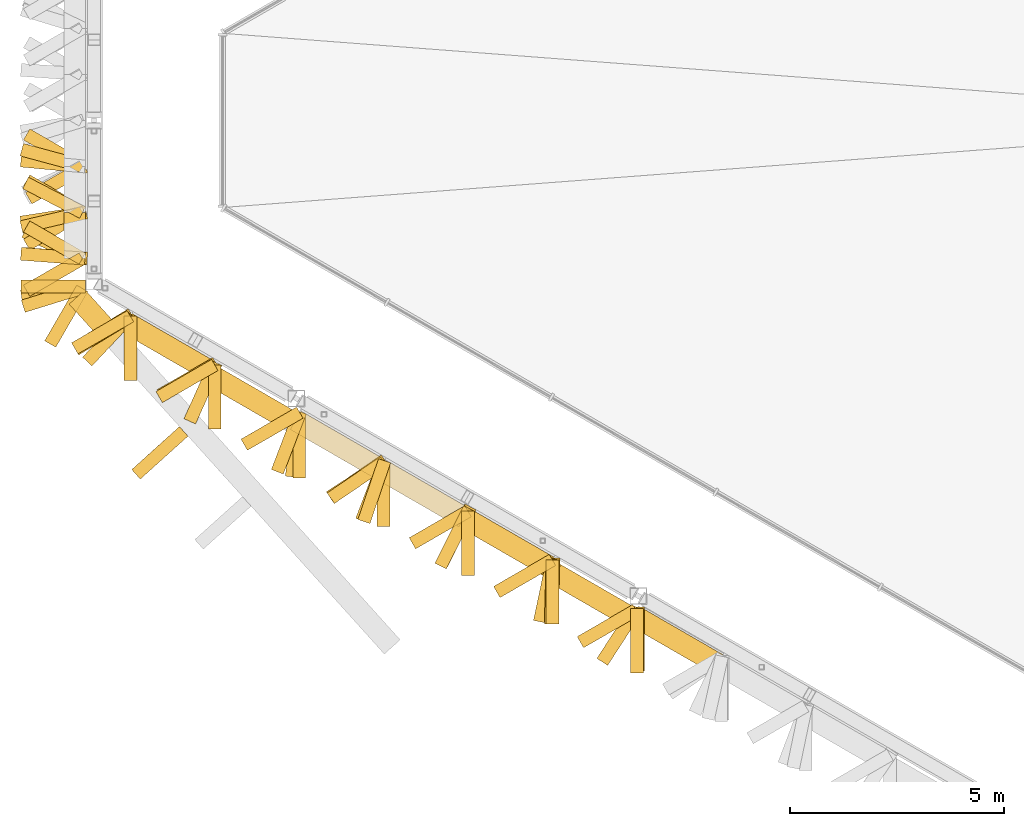
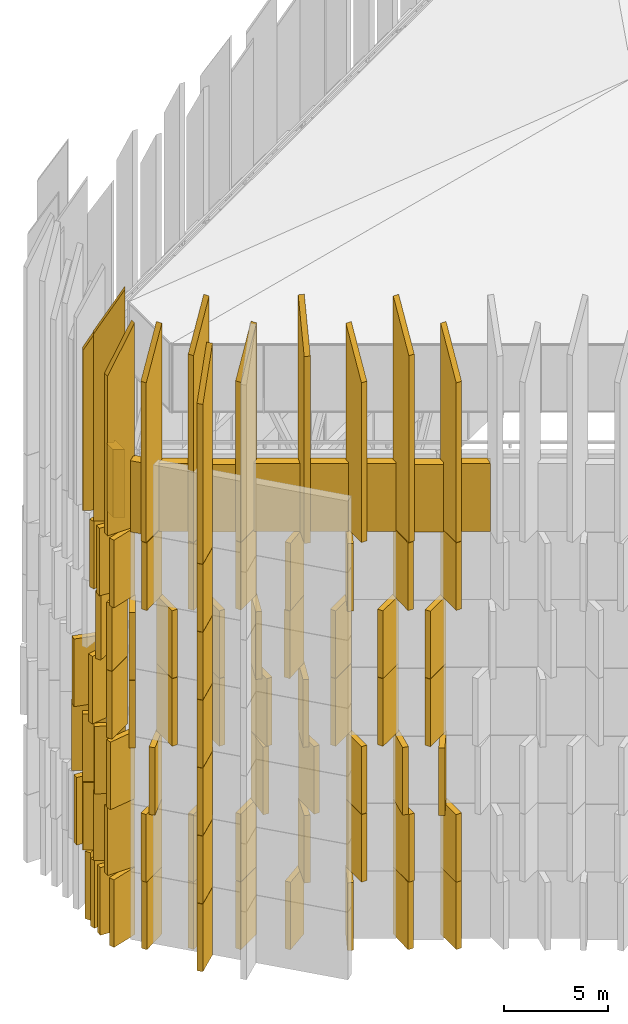
# One storey, part 38 of 45: 90 shading devices.
"""IFC4 building model written with IfcOpenShell, lengths in metres."""

from ifc_helpers import new_model, si_unit, direction, frame, frame_2d, origin, place, context, subcontext, project, spatial, polyline, rectangle, outline, extrude, material, layer, layer_set, type_object, element, save


model = new_model("IFC4")

# Units and contexts
model_context = context("Model", 3, precision=1e-05, world=origin(), true_north=direction((0.0, 1.0)))
body_context = subcontext(model_context, "Body", "Model", "MODEL_VIEW")
ifc_project = project(units=[si_unit("LENGTHUNIT", "METRE"), si_unit("AREAUNIT", "SQUARE_METRE"), si_unit("VOLUMEUNIT", "CUBIC_METRE"), si_unit("PLANEANGLEUNIT", "RADIAN"), si_unit("MASSUNIT", "GRAM", prefix="KILO")], contexts=[model_context])

# Site, building, storey
site_placement = place(None, origin())
site = spatial("IfcSite", under=ifc_project, at=site_placement, CompositionType="ELEMENT")
building_placement = place(site_placement, origin())
building = spatial("IfcBuilding", under=site, at=building_placement, Name="Jabali Bay Hotel Tower and Convention Centre", CompositionType="ELEMENT")
storey_placement = place(building_placement, frame((0.0, 0.0, 322.39990234375)))
storey = spatial("IfcBuildingStorey", under=building, at=storey_placement, Name="Crown", CompositionType="ELEMENT", Elevation=322.39990234375)

# Shading devices
ifc_material_1 = material(Name="Aluminium 6063", Category="aluminium")
shading_device_type_1 = type_object("IfcShadingDeviceType", Name="Louvre bank", PredefinedType="USERDEFINED", material=ifc_material_1)
shading_device_1_placement = place(storey_placement, frame((0.0, 0.0, 23.92431640625)))
element("IfcShadingDevice", 1, at=shading_device_1_placement, inside=storey, type_object=shading_device_type_1, Name="Louvre 7.3.54", ObjectType="LOUVRE", PredefinedType="USERDEFINED", context=body_context, shape_type="SweptSolid", body=[
    extrude(outline(polyline([(45.02587890625, 76.901611328125), (45.02587890625, 77.847900390625), (44.956787109375, 77.847900390625), (44.887451171875, 77.71484375), (44.631591796875, 77.847900390625), (44.52587890625, 77.847900390625), (44.52587890625, 77.1904296875), (45.02587890625, 76.901611328125)])), origin(), (0.0, 0.0, 1.0), 3.9658203125),
])
shading_device_2_placement = place(storey_placement, frame((0.0, 0.0, 23.92431640625)))
element("IfcShadingDevice", 2, at=shading_device_2_placement, inside=storey, type_object=shading_device_type_1, Name="Louvre 7.4.56", ObjectType="LOUVRE", PredefinedType="USERDEFINED", context=body_context, shape_type="SweptSolid", body=[
    extrude(outline(polyline([(47.970458984375, 74.418212890625), (46.111572265625, 75.491455078125), (46.07421875, 75.426513671875), (46.149169921875, 75.296630859375), (45.924072265625, 75.166748046875), (45.861572265625, 75.058349609375), (47.470458984375, 74.12939453125), (47.970458984375, 74.418212890625)])), origin(), (0.0, 0.0, 1.0), 3.9658203125),
])
shading_device_3_placement = place(storey_placement, frame((0.0, 0.0, 23.92431640625)))
element("IfcShadingDevice", 3, at=shading_device_3_placement, inside=storey, type_object=shading_device_type_1, Name="Louvre 7.4.57", ObjectType="LOUVRE", PredefinedType="USERDEFINED", context=body_context, shape_type="SweptSolid", body=[
    extrude(outline(polyline([(49.85400390625, 73.246337890625), (48.04638671875, 74.289794921875), (48.04541015625, 74.288330078125), (48.12060546875, 74.158447265625), (47.8955078125, 74.028564453125), (47.79638671875, 73.85693359375), (49.35400390625, 72.95751953125), (49.85400390625, 73.246337890625)])), origin(), (0.0, 0.0, 1.0), 3.9658203125),
])
shading_device_4_placement = place(storey_placement, frame((0.0, 0.0, 23.92431640625)))
element("IfcShadingDevice", 4, at=shading_device_4_placement, inside=storey, type_object=shading_device_type_1, Name="Louvre 7.4.58", ObjectType="LOUVRE", PredefinedType="USERDEFINED", context=body_context, shape_type="SweptSolid", body=[
    extrude(outline(polyline([(52.02587890625, 72.076904296875), (50.054443359375, 73.215087890625), (50.03173828125, 73.175537109375), (50.106689453125, 73.045654296875), (49.881591796875, 72.915771484375), (49.804443359375, 72.781982421875), (51.72412109375, 71.673583984375), (51.869140625, 72.099853515625), (52.01123046875, 72.051513671875), (52.02587890625, 72.076904296875)])), origin(), (0.0, 0.0, 1.0), 3.9658203125),
])
shading_device_5_placement = place(storey_placement, frame((0.0, 0.0, 23.92431640625)))
element("IfcShadingDevice", 5, at=shading_device_5_placement, inside=storey, type_object=shading_device_type_1, Name="Louvre 7.4.59", ObjectType="LOUVRE", PredefinedType="USERDEFINED", context=body_context, shape_type="SweptSolid", body=[
    extrude(outline(polyline([(53.997314453125, 70.938720703125), (52.1533203125, 72.003173828125), (51.989013671875, 71.520751953125), (53.747314453125, 70.505615234375), (53.809814453125, 70.614013671875), (53.809814453125, 70.873779296875), (53.959716796875, 70.873779296875), (53.997314453125, 70.938720703125)])), origin(), (0.0, 0.0, 1.0), 3.9658203125),
])
shading_device_6_placement = place(storey_placement, frame((0.0, 0.0, 23.92431640625)))
element("IfcShadingDevice", 6, at=shading_device_6_placement, inside=storey, type_object=shading_device_type_1, Name="Louvre 7.4.60", ObjectType="LOUVRE", PredefinedType="USERDEFINED", context=body_context, shape_type="SweptSolid", body=[
    extrude(outline(polyline([(55.968505859375, 69.800537109375), (54.109619140625, 70.873779296875), (54.109619140625, 70.29638671875), (55.718505859375, 69.367431640625), (55.781005859375, 69.475830078125), (55.781005859375, 69.735595703125), (55.93115234375, 69.735595703125), (55.968505859375, 69.800537109375)])), origin(), (0.0, 0.0, 1.0), 3.9658203125),
])
shading_device_7_placement = place(storey_placement, frame((0.0, 0.0, 23.92431640625)))
element("IfcShadingDevice", 7, at=shading_device_7_placement, inside=storey, type_object=shading_device_type_1, Name="Louvre 7.4.61", ObjectType="LOUVRE", PredefinedType="USERDEFINED", context=body_context, shape_type="SweptSolid", body=[
    extrude(outline(polyline([(57.9033203125, 68.598876953125), (56.0810546875, 69.65087890625), (56.0810546875, 69.07373046875), (57.6533203125, 68.165771484375), (57.75244140625, 68.33740234375), (57.75244140625, 68.597412109375), (57.902587890625, 68.597412109375), (57.9033203125, 68.598876953125)])), origin(), (0.0, 0.0, 1.0), 3.9658203125),
])
shading_device_8_placement = place(storey_placement, frame((0.0, 0.0, 23.92431640625)))
element("IfcShadingDevice", 8, at=shading_device_8_placement, inside=storey, type_object=shading_device_type_1, Name="Louvre 7.4.62", ObjectType="LOUVRE", PredefinedType="USERDEFINED", context=body_context, shape_type="SweptSolid", body=[
    extrude(outline(polyline([(59.911376953125, 67.524169921875), (58.052490234375, 68.597412109375), (58.052490234375, 68.02001953125), (59.649658203125, 67.097900390625), (59.742431640625, 67.517333984375), (59.888916015625, 67.48486328125), (59.911376953125, 67.524169921875)])), origin(), (0.0, 0.0, 1.0), 3.9658203125),
])
shading_device_9_placement = place(storey_placement, frame((0.0, 0.0, 23.92431640625)))
element("IfcShadingDevice", 9, at=shading_device_9_placement, inside=storey, type_object=shading_device_type_1, Name="Louvre 7.W10", ObjectType="LOUVRE", PredefinedType="USERDEFINED", context=body_context, shape_type="SweptSolid", body=[
    extrude(outline(polyline([(45.6416015625, 75.349853515625), (45.02587890625, 76.03369140625), (45.02587890625, 75.96826171875), (44.93115234375, 75.96826171875), (44.64453125, 75.710205078125), (45.198974609375, 75.094482421875), (45.6416015625, 75.349853515625)])), origin(), (0.0, 0.0, 1.0), 4.17578125),
])
ifc_material_2 = material(Name="Precast concrete C60", Category="concrete")
ifc_layer = layer(ifc_material_2, 0.300048828125)
ifc_layer_set = layer_set([ifc_layer], Name="Precast concrete C60")
shading_device_type_2 = type_object("IfcShadingDeviceType", Name="Precast fin 3966 x 1500", PredefinedType="USERDEFINED", material=ifc_layer_set)
shading_device_10_placement = place(storey_placement, frame((45.00146484375, 78.923828125, 0.010009765625), z_axis=(0.0, 0.0, 1.0), x_axis=(-0.868423393299, -0.495823365696, 0.0)))
element("IfcShadingDevice", 10, at=shading_device_10_placement, inside=storey, type_object=shading_device_type_2, Name="Fin Crown:0 053", ObjectType="FIN", PredefinedType="USERDEFINED", context=body_context, shape_type="SweptSolid", body=[
    extrude(rectangle(XDim=1.499755859375, YDim=0.300048828125, at=frame_2d((0.75, 0.0))), origin(), (0.0, 0.0, 1.0), 3.9658203125),
])
for number, where, z_axis, x_axis, name in (
    (11, (45.0419921875, 77.847900390625, 0.010009765625), (0.0, 0.0, 1.0), (-0.974146474349, -0.225917344427, 0.0), "Fin Crown:0 054"),
    (12, (45.064697265625, 76.771728515625, 0.010009765625), (0.0, 0.0, 1.0), (-0.997156972365, 0.075352322214, 0.0), "Fin Crown:0 055"),
    (13, (46.1005859375, 75.472412109375, 0.010009765625), (0.0, 0.0, 1.0), (-0.854462444938, -0.519513166522, 0.0), "Fin Crown:0 056"),
    (14, (48.070556640625, 74.33154296875, 0.010009765625), (0.0, 0.0, 1.0), (-0.866031096941, -0.499990139034, 0.0), "Fin Crown:0 057"),
    (15, (50.03173828125, 73.175537109375, 0.010009765625), (0.0, 0.0, 1.0), (-0.866031096941, -0.499990139034, 0.0), "Fin Crown:0 058"),
    (16, (52.018310546875, 72.063720703125, 0.010009765625), (0.0, 0.0, 1.0), (-0.826347846585, -0.563160045142, 0.0), "Fin Crown:0 059"),
    (17, (54.017822265625, 70.974365234375, 0.010009765625), (0.0, 0.0, 1.0), (-0.449230739965, -0.893415772343, 0.0), "Fin Crown:0 060"),
    (18, (55.9580078125, 69.781982421875, 0.010009765625), (0.0, 0.0, 1.0), (-0.02799293338, -0.999608121056, 0.0), "Fin Crown:0 061"),
    (19, (57.927490234375, 68.640625, 0.010009765625), (0.0, 0.0, 1.0), (0.0, -1.0, 0.0), "Fin Crown:0 062"),
    (20, (45.003662109375, 76.10546875, 0.010009765625), (0.0, 0.0, 1.0), (-0.95487011215, -0.29702368411, 0.0), "Fin Crown:0 088"),
):
    element("IfcShadingDevice", number, at=place(storey_placement, frame(where, z_axis=z_axis, x_axis=x_axis)), inside=storey, type_object=shading_device_type_2, Name=name, ObjectType="FIN", PredefinedType="USERDEFINED", context=body_context, shape_type="SweptSolid", body=[
        extrude(rectangle(XDim=1.5, YDim=0.300048828125, at=frame_2d((0.75, 0.0))), origin(), (0.0, 0.0, 1.0), 3.9658203125),
    ])
shading_device_11_placement = place(storey_placement, frame((45.01220703125, 78.923828125, 3.995849609375), z_axis=(0.0, 0.0, 1.0), x_axis=(-0.995807377688, 0.091474950353, 0.0)))
element("IfcShadingDevice", 21, at=shading_device_11_placement, inside=storey, type_object=shading_device_type_2, Name="Fin Crown:1 053", ObjectType="FIN", PredefinedType="USERDEFINED", context=body_context, shape_type="SweptSolid", body=[
    extrude(rectangle(XDim=1.5, YDim=0.300048828125, at=frame_2d((0.75, 0.0))), origin(), (0.0, 0.0, 1.0), 3.965576171875),
])
shading_device_12_placement = place(storey_placement, frame((44.956787109375, 77.847900390625, 3.995849609375), z_axis=(0.0, 0.0, 1.0), x_axis=(-0.887286070615, 0.461219501857, 0.0)))
element("IfcShadingDevice", 22, at=shading_device_12_placement, inside=storey, type_object=shading_device_type_2, Name="Fin Crown:1 054", ObjectType="FIN", PredefinedType="USERDEFINED", context=body_context, shape_type="SweptSolid", body=[
    extrude(rectangle(XDim=1.500244140625, YDim=0.300048828125, at=frame_2d((0.75, 0.0))), origin(), (0.0, 0.0, 1.0), 3.965576171875),
])
for number, where, z_axis, x_axis, name in (
    (23, (44.950927734375, 76.771728515625, 3.995849609375), (0.0, 0.0, 1.0), (-0.866031096941, 0.499990139034, 0.0), "Fin Crown:1 055"),
    (24, (46.07421875, 75.426513671875, 3.995849609375), (0.0, 0.0, 1.0), (-0.866031096941, -0.499990139034, 0.0), "Fin Crown:1 056"),
):
    element("IfcShadingDevice", number, at=place(storey_placement, frame(where, z_axis=z_axis, x_axis=x_axis)), inside=storey, type_object=shading_device_type_2, Name=name, ObjectType="FIN", PredefinedType="USERDEFINED", context=body_context, shape_type="SweptSolid", body=[
        extrude(rectangle(XDim=1.5, YDim=0.300048828125, at=frame_2d((0.75, 0.0))), origin(), (0.0, 0.0, 1.0), 3.965576171875),
    ])
shading_device_13_placement = place(storey_placement, frame((48.04541015625, 74.288330078125, 3.995849609375), z_axis=(0.0, 0.0, 1.0), x_axis=(-0.86599040064, -0.500060622324, 0.0)))
element("IfcShadingDevice", 25, at=shading_device_13_placement, inside=storey, type_object=shading_device_type_2, Name="Fin Crown:1 057", ObjectType="FIN", PredefinedType="USERDEFINED", context=body_context, shape_type="SweptSolid", body=[
    extrude(rectangle(XDim=1.499755859375, YDim=0.300048828125, at=frame_2d((0.75, 0.0))), origin(), (0.0, 0.0, 1.0), 3.965576171875),
])
shading_device_14_placement = place(storey_placement, frame((50.03173828125, 73.175537109375, 3.995849609375), z_axis=(0.0, 0.0, 1.0), x_axis=(-0.866031096941, -0.499990139034, 0.0)))
element("IfcShadingDevice", 26, at=shading_device_14_placement, inside=storey, type_object=shading_device_type_2, Name="Fin Crown:1 058", ObjectType="FIN", PredefinedType="USERDEFINED", context=body_context, shape_type="SweptSolid", body=[
    extrude(rectangle(XDim=1.5, YDim=0.300048828125, at=frame_2d((0.75, 0.0))), origin(), (0.0, 0.0, 1.0), 3.965576171875),
])
shading_device_15_placement = place(storey_placement, frame((52.01123046875, 72.051513671875, 3.995849609375), z_axis=(0.0, 0.0, 1.0), x_axis=(-0.322130339486, -0.946695328172, 0.0)))
element("IfcShadingDevice", 27, at=shading_device_15_placement, inside=storey, type_object=shading_device_type_2, Name="Fin Crown:1 059", ObjectType="FIN", PredefinedType="USERDEFINED", context=body_context, shape_type="SweptSolid", body=[
    extrude(rectangle(XDim=1.499755859375, YDim=0.300048828125, at=frame_2d((0.75, 0.0))), origin(), (0.0, 0.0, 1.0), 3.965576171875),
])
for number, where, z_axis, x_axis, name in (
    (28, (53.959716796875, 70.873779296875, 3.995849609375), (0.0, 0.0, 1.0), (0.0, -1.0, 0.0), "Fin Crown:1 060"),
    (29, (55.93115234375, 69.735595703125, 3.995849609375), (0.0, 0.0, 1.0), (0.0, -1.0, 0.0), "Fin Crown:1 061"),
    (30, (57.902587890625, 68.597412109375, 3.995849609375), (0.0, 0.0, 1.0), (0.0, -1.0, 0.0), "Fin Crown:1 062"),
    (31, (45.02587890625, 76.1181640625, 3.995849609375), (0.0, 0.0, 1.0), (-1.0, 0.0, 0.0), "Fin Crown:1 088"),
):
    element("IfcShadingDevice", number, at=place(storey_placement, frame(where, z_axis=z_axis, x_axis=x_axis)), inside=storey, type_object=shading_device_type_2, Name=name, ObjectType="FIN", PredefinedType="USERDEFINED", context=body_context, shape_type="SweptSolid", body=[
        extrude(rectangle(XDim=1.5, YDim=0.300048828125, at=frame_2d((0.75, 0.0))), origin(), (0.0, 0.0, 1.0), 3.965576171875),
    ])
for number, where, z_axis, x_axis, name in (
    (32, (44.950927734375, 78.923828125, 7.9814453125), (0.0, 0.0, 1.0), (-0.866031096941, 0.499990139034, 0.0), "Fin Crown:2 053"),
    (33, (44.950927734375, 77.847900390625, 7.9814453125), (0.0, 0.0, 1.0), (-0.866031096941, 0.499990139034, 0.0), "Fin Crown:2 054"),
    (34, (44.962890625, 76.771728515625, 7.9814453125), (0.0, 0.0, 1.0), (-0.907711513365, 0.419594814677, 0.0), "Fin Crown:2 055"),
    (35, (46.094482421875, 75.461669921875, 7.9814453125), (0.0, 0.0, 1.0), (-0.684455331239, -0.729054798721, 0.0), "Fin Crown:2 056"),
    (36, (48.075439453125, 74.340087890625, 7.9814453125), (0.0, 0.0, 1.0), (-0.4093222527, -0.912389880174, 0.0), "Fin Crown:2 057"),
    (37, (50.025146484375, 73.164306640625, 7.9814453125), (0.0, 0.0, 1.0), (-0.121910993205, -0.992541036802, 0.0), "Fin Crown:2 058"),
    (38, (51.98828125, 72.011962890625, 7.9814453125), (0.0, 0.0, 1.0), (0.0, -1.0, 0.0), "Fin Crown:2 059"),
    (39, (53.959716796875, 70.873779296875, 7.9814453125), (0.0, 0.0, 1.0), (0.0, -1.0, 0.0), "Fin Crown:2 060"),
    (40, (55.9453125, 69.76025390625, 7.9814453125), (0.0, 0.0, 1.0), (-0.207027495993, -0.978335124537, 0.0), "Fin Crown:2 061"),
):
    element("IfcShadingDevice", number, at=place(storey_placement, frame(where, z_axis=z_axis, x_axis=x_axis)), inside=storey, type_object=shading_device_type_2, Name=name, ObjectType="FIN", PredefinedType="USERDEFINED", context=body_context, shape_type="SweptSolid", body=[
        extrude(rectangle(XDim=1.5, YDim=0.300048828125, at=frame_2d((0.75, 0.0))), origin(), (0.0, 0.0, 1.0), 3.9658203125),
    ])
shading_device_16_placement = place(storey_placement, frame((57.911376953125, 68.612548828125, 7.9814453125), z_axis=(0.0, 0.0, 1.0), x_axis=(-0.544215872069, -0.838945221446, 0.0)))
element("IfcShadingDevice", 41, at=shading_device_16_placement, inside=storey, type_object=shading_device_type_2, Name="Fin Crown:2 062", ObjectType="FIN", PredefinedType="USERDEFINED", context=body_context, shape_type="SweptSolid", body=[
    extrude(rectangle(XDim=1.500244140625, YDim=0.300048828125, at=frame_2d((0.75, 0.0))), origin(), (0.0, 0.0, 1.0), 3.9658203125),
])
shading_device_17_placement = place(storey_placement, frame((45.01416015625, 76.111572265625, 7.9814453125), z_axis=(0.0, 0.0, 1.0), x_axis=(-0.988945901683, -0.14827678019, 0.0)))
element("IfcShadingDevice", 42, at=shading_device_17_placement, inside=storey, type_object=shading_device_type_2, Name="Fin Crown:2 088", ObjectType="FIN", PredefinedType="USERDEFINED", context=body_context, shape_type="SweptSolid", body=[
    extrude(rectangle(XDim=1.5, YDim=0.300048828125, at=frame_2d((0.75, 0.0))), origin(), (0.0, 0.0, 1.0), 3.9658203125),
])
for number, where, z_axis, x_axis, name in (
    (43, (44.98681640625, 78.923828125, 11.96728515625), (0.0, 0.0, 1.0), (-0.965321278166, 0.261064800232, 0.0), "Fin Crown:3 053"),
    (44, (45.002685546875, 77.847900390625, 11.96728515625), (0.0, 0.0, 1.0), (-0.987923434639, -0.154942851693, 0.0), "Fin Crown:3 054"),
    (45, (44.950927734375, 76.771728515625, 11.96728515625), (0.0, 0.0, 1.0), (-0.866031096941, -0.499990139034, 0.0), "Fin Crown:3 055"),
    (46, (46.07421875, 75.426513671875, 11.96728515625), (0.0, 0.0, 1.0), (0.0, -1.0, 0.0), "Fin Crown:3 056"),
    (47, (48.04541015625, 74.288330078125, 11.96728515625), (0.0, 0.0, 1.0), (0.0, -1.0, 0.0), "Fin Crown:3 057"),
    (48, (50.016845703125, 73.150146484375, 11.96728515625), (0.0, 0.0, 1.0), (0.0, -1.0, 0.0), "Fin Crown:3 058"),
    (49, (52.01416015625, 72.056640625, 11.96728515625), (0.0, 0.0, 1.0), (-0.358870015676, -0.93338754644, 0.0), "Fin Crown:3 059"),
    (50, (53.959716796875, 70.873779296875, 11.96728515625), (0.0, 0.0, 1.0), (-0.866031096941, -0.499990139034, 0.0), "Fin Crown:3 060"),
    (51, (55.93115234375, 69.735595703125, 11.96728515625), (0.0, 0.0, 1.0), (-0.866031096941, -0.499990139034, 0.0), "Fin Crown:3 061"),
):
    element("IfcShadingDevice", number, at=place(storey_placement, frame(where, z_axis=z_axis, x_axis=x_axis)), inside=storey, type_object=shading_device_type_2, Name=name, ObjectType="FIN", PredefinedType="USERDEFINED", context=body_context, shape_type="SweptSolid", body=[
        extrude(rectangle(XDim=1.5, YDim=0.300048828125, at=frame_2d((0.75, 0.0))), origin(), (0.0, 0.0, 1.0), 3.965576171875),
    ])
shading_device_18_placement = place(storey_placement, frame((57.88330078125, 68.564208984375, 11.96728515625), z_axis=(0.0, 0.0, 1.0), x_axis=(-0.86599040064, -0.500060622324, 0.0)))
element("IfcShadingDevice", 52, at=shading_device_18_placement, inside=storey, type_object=shading_device_type_2, Name="Fin Crown:3 062", ObjectType="FIN", PredefinedType="USERDEFINED", context=body_context, shape_type="SweptSolid", body=[
    extrude(rectangle(XDim=1.499755859375, YDim=0.300048828125, at=frame_2d((0.75, 0.0))), origin(), (0.0, 0.0, 1.0), 3.965576171875),
])
shading_device_19_placement = place(storey_placement, frame((44.95263671875, 76.075927734375, 11.96728515625), z_axis=(0.0, 0.0, 1.0), x_axis=(-0.499990139034, -0.866031096941, 0.0)))
element("IfcShadingDevice", 53, at=shading_device_19_placement, inside=storey, type_object=shading_device_type_2, Name="Fin Crown:3 088", ObjectType="FIN", PredefinedType="USERDEFINED", context=body_context, shape_type="SweptSolid", body=[
    extrude(rectangle(XDim=1.5, YDim=0.300048828125, at=frame_2d((0.75, 0.0))), origin(), (0.0, 0.0, 1.0), 3.965576171875),
])
for number, where, z_axis, x_axis, name in (
    (54, (44.950927734375, 77.847900390625, 15.952880859375), (0.0, 0.0, 1.0), (-0.866031096941, -0.499990139034, 0.0), "Fin Crown:4 054"),
    (55, (44.950927734375, 76.771728515625, 15.952880859375), (0.0, 0.0, 1.0), (-0.866031096941, -0.499990139034, 0.0), "Fin Crown:4 055"),
    (56, (46.07421875, 75.426513671875, 15.952880859375), (0.0, 0.0, 1.0), (0.0, -1.0, 0.0), "Fin Crown:4 056"),
    (57, (48.04541015625, 74.288330078125, 15.952880859375), (0.0, 0.0, 1.0), (0.0, -1.0, 0.0), "Fin Crown:4 057"),
    (58, (50.04248046875, 73.194580078125, 15.952880859375), (0.0, 0.0, 1.0), (-0.357287827496, -0.93399432992, 0.0), "Fin Crown:4 058"),
    (59, (51.99169921875, 72.017578125, 15.952880859375), (0.0, 0.0, 1.0), (-0.839779682339, -0.542927329512, 0.0), "Fin Crown:4 059"),
    (60, (53.959716796875, 70.873779296875, 15.952880859375), (0.0, 0.0, 1.0), (-0.866031096941, -0.499990139034, 0.0), "Fin Crown:4 060"),
    (61, (55.93115234375, 69.735595703125, 15.952880859375), (0.0, 0.0, 1.0), (-0.866031096941, -0.499990139034, 0.0), "Fin Crown:4 061"),
):
    element("IfcShadingDevice", number, at=place(storey_placement, frame(where, z_axis=z_axis, x_axis=x_axis)), inside=storey, type_object=shading_device_type_2, Name=name, ObjectType="FIN", PredefinedType="USERDEFINED", context=body_context, shape_type="SweptSolid", body=[
        extrude(rectangle(XDim=1.5, YDim=0.300048828125, at=frame_2d((0.75, 0.0))), origin(), (0.0, 0.0, 1.0), 3.9658203125),
    ])
shading_device_20_placement = place(storey_placement, frame((57.88330078125, 68.564208984375, 15.952880859375), z_axis=(0.0, 0.0, 1.0), x_axis=(-0.86599040064, -0.500060622324, 0.0)))
element("IfcShadingDevice", 62, at=shading_device_20_placement, inside=storey, type_object=shading_device_type_2, Name="Fin Crown:4 062", ObjectType="FIN", PredefinedType="USERDEFINED", context=body_context, shape_type="SweptSolid", body=[
    extrude(rectangle(XDim=1.499755859375, YDim=0.300048828125, at=frame_2d((0.75, 0.0))), origin(), (0.0, 0.0, 1.0), 3.9658203125),
])
shading_device_21_placement = place(storey_placement, frame((44.95263671875, 76.075927734375, 15.952880859375), z_axis=(0.0, 0.0, 1.0), x_axis=(-0.499990139034, -0.866031096941, 0.0)))
element("IfcShadingDevice", 63, at=shading_device_21_placement, inside=storey, type_object=shading_device_type_2, Name="Fin Crown:4 088", ObjectType="FIN", PredefinedType="USERDEFINED", context=body_context, shape_type="SweptSolid", body=[
    extrude(rectangle(XDim=1.5, YDim=0.300048828125, at=frame_2d((0.75, 0.0))), origin(), (0.0, 0.0, 1.0), 3.9658203125),
])
for number, where, z_axis, x_axis, name in (
    (64, (44.991943359375, 77.847900390625, 19.938720703125), (0.0, 0.0, 1.0), (-0.974146474349, -0.225917344427, 0.0), "Fin Crown:5 054"),
    (65, (45.0146484375, 76.771728515625, 19.938720703125), (0.0, 0.0, 1.0), (-0.997156972365, 0.075352322214, 0.0), "Fin Crown:5 055"),
    (66, (46.07568359375, 75.428955078125, 19.938720703125), (0.0, 0.0, 1.0), (-0.854534690348, -0.519394323219, 0.0), "Fin Crown:5 056"),
):
    element("IfcShadingDevice", number, at=place(storey_placement, frame(where, z_axis=z_axis, x_axis=x_axis)), inside=storey, type_object=shading_device_type_2, Name=name, ObjectType="FIN", PredefinedType="USERDEFINED", context=body_context, shape_type="SweptSolid", body=[
        extrude(rectangle(XDim=1.5, YDim=0.300048828125, at=frame_2d((0.75, 0.0))), origin(), (0.0, 0.0, 1.0), 3.965576171875),
    ])
shading_device_22_placement = place(storey_placement, frame((48.04541015625, 74.288330078125, 19.938720703125), z_axis=(0.0, 0.0, 1.0), x_axis=(-0.86599040064, -0.500060622324, 0.0)))
element("IfcShadingDevice", 67, at=shading_device_22_placement, inside=storey, type_object=shading_device_type_2, Name="Fin Crown:5 057", ObjectType="FIN", PredefinedType="USERDEFINED", context=body_context, shape_type="SweptSolid", body=[
    extrude(rectangle(XDim=1.499755859375, YDim=0.300048828125, at=frame_2d((0.75, 0.0))), origin(), (0.0, 0.0, 1.0), 3.965576171875),
])
for number, where, z_axis, x_axis, name in (
    (68, (50.03173828125, 73.175537109375, 19.938720703125), (0.0, 0.0, 1.0), (-0.866031096941, -0.499990139034, 0.0), "Fin Crown:5 058"),
    (69, (51.9931640625, 72.0205078125, 19.938720703125), (0.0, 0.0, 1.0), (-0.826347846585, -0.563160045142, 0.0), "Fin Crown:5 059"),
    (70, (53.992919921875, 70.93115234375, 19.938720703125), (0.0, 0.0, 1.0), (-0.449230739965, -0.893415772343, 0.0), "Fin Crown:5 060"),
    (71, (55.932861328125, 69.73876953125, 19.938720703125), (0.0, 0.0, 1.0), (-0.02783031019, -0.999612661902, 0.0), "Fin Crown:5 061"),
    (72, (57.902587890625, 68.597412109375, 19.938720703125), (0.0, 0.0, 1.0), (0.0, -1.0, 0.0), "Fin Crown:5 062"),
    (73, (45.003662109375, 76.10546875, 19.938720703125), (0.0, 0.0, 1.0), (-0.95487011215, -0.29702368411, 0.0), "Fin Crown:5 088"),
):
    element("IfcShadingDevice", number, at=place(storey_placement, frame(where, z_axis=z_axis, x_axis=x_axis)), inside=storey, type_object=shading_device_type_2, Name=name, ObjectType="FIN", PredefinedType="USERDEFINED", context=body_context, shape_type="SweptSolid", body=[
        extrude(rectangle(XDim=1.5, YDim=0.300048828125, at=frame_2d((0.75, 0.0))), origin(), (0.0, 0.0, 1.0), 3.965576171875),
    ])
shading_device_23_placement = place(storey_placement, frame((44.956787109375, 77.847900390625, 23.92431640625), z_axis=(0.0, 0.0, 1.0), x_axis=(-0.887286070615, 0.461219501857, 0.0)))
element("IfcShadingDevice", 74, at=shading_device_23_placement, inside=storey, type_object=shading_device_type_2, Name="Fin Crown:6 054", ObjectType="FIN", PredefinedType="USERDEFINED", context=body_context, shape_type="SweptSolid", body=[
    extrude(outline(polyline([(0.0, 0.0), (1.500244140625, 0.0), (1.5, 9.36767578125), (0.0, 11.9658203125), (0.0, 0.0)])), frame((0.0, 0.14990234375, 0.0), z_axis=(0.0, -1.0, 0.0), x_axis=(1.0, 0.0, 0.0)), (0.0, 0.0, 1.0), 0.300048828125),
])
shading_device_24_placement = place(storey_placement, frame((44.950927734375, 76.771728515625, 23.92431640625), z_axis=(0.0, 0.0, 1.0), x_axis=(-0.866031096941, 0.499990139034, 0.0)))
element("IfcShadingDevice", 75, at=shading_device_24_placement, inside=storey, type_object=shading_device_type_2, Name="Fin Crown:6 055", ObjectType="FIN", PredefinedType="USERDEFINED", context=body_context, shape_type="SweptSolid", body=[
    extrude(outline(polyline([(0.0, 0.0), (1.5, 0.0), (1.5, 10.9677734375), (0.0, 13.565673828125), (0.0, 0.0)])), frame((0.0, 0.14990234375, 0.0), z_axis=(0.0, -1.0, 0.0), x_axis=(1.0, 0.0, 0.0)), (0.0, 0.0, 1.0), 0.300048828125),
])
shading_device_25_placement = place(storey_placement, frame((46.07421875, 75.426513671875, 23.92431640625), z_axis=(0.0, 0.0, 1.0), x_axis=(-0.866031096941, -0.499990139034, 0.0)))
element("IfcShadingDevice", 76, at=shading_device_25_placement, inside=storey, type_object=shading_device_type_2, Name="Fin Crown:6 056", ObjectType="FIN", PredefinedType="USERDEFINED", context=body_context, shape_type="SweptSolid", body=[
    extrude(outline(polyline([(0.0, 0.0), (1.5, 0.0), (1.5, 9.36767578125), (0.0, 11.9658203125), (0.0, 0.0)])), frame((0.0, 0.14990234375, 0.0), z_axis=(0.0, -1.0, 0.0), x_axis=(1.0, 0.0, 0.0)), (0.0, 0.0, 1.0), 0.300048828125),
])
shading_device_26_placement = place(storey_placement, frame((48.04541015625, 74.288330078125, 23.92431640625), z_axis=(0.0, 0.0, 1.0), x_axis=(-0.86599040064, -0.500060622324, 0.0)))
element("IfcShadingDevice", 77, at=shading_device_26_placement, inside=storey, type_object=shading_device_type_2, Name="Fin Crown:6 057", ObjectType="FIN", PredefinedType="USERDEFINED", context=body_context, shape_type="SweptSolid", body=[
    extrude(outline(polyline([(0.0, 0.0), (1.499755859375, 0.0), (1.5, 10.9677734375), (0.0, 13.565673828125), (0.0, 0.0)])), frame((0.0, 0.14990234375, 0.0), z_axis=(0.0, -1.0, 0.0), x_axis=(1.0, 0.0, 0.0)), (0.0, 0.0, 1.0), 0.300048828125),
])
shading_device_27_placement = place(storey_placement, frame((50.03173828125, 73.175537109375, 23.92431640625), z_axis=(0.0, 0.0, 1.0), x_axis=(-0.866031096941, -0.499990139034, 0.0)))
element("IfcShadingDevice", 78, at=shading_device_27_placement, inside=storey, type_object=shading_device_type_2, Name="Fin Crown:6 058", ObjectType="FIN", PredefinedType="USERDEFINED", context=body_context, shape_type="SweptSolid", body=[
    extrude(outline(polyline([(0.0, 0.0), (1.5, 0.0), (1.5, 9.36767578125), (0.0, 11.9658203125), (0.0, 0.0)])), frame((0.0, 0.14990234375, 0.0), z_axis=(0.0, -1.0, 0.0), x_axis=(1.0, 0.0, 0.0)), (0.0, 0.0, 1.0), 0.300048828125),
])
shading_device_28_placement = place(storey_placement, frame((52.01123046875, 72.051513671875, 23.92431640625), z_axis=(0.0, 0.0, 1.0), x_axis=(-0.322130339486, -0.946695328172, 0.0)))
element("IfcShadingDevice", 79, at=shading_device_28_placement, inside=storey, type_object=shading_device_type_2, Name="Fin Crown:6 059", ObjectType="FIN", PredefinedType="USERDEFINED", context=body_context, shape_type="SweptSolid", body=[
    extrude(outline(polyline([(0.0, 0.0), (1.499755859375, 0.0), (1.5, 10.9677734375), (0.0, 13.565673828125), (0.0, 0.0)])), frame((0.0, 0.14990234375, 0.0), z_axis=(0.0, -1.0, 0.0), x_axis=(1.0, 0.0, 0.0)), (0.0, 0.0, 1.0), 0.300048828125),
])
shading_device_29_placement = place(storey_placement, frame((53.959716796875, 70.873779296875, 23.92431640625), z_axis=(0.0, 0.0, 1.0), x_axis=(0.0, -1.0, 0.0)))
element("IfcShadingDevice", 80, at=shading_device_29_placement, inside=storey, type_object=shading_device_type_2, Name="Fin Crown:6 060", ObjectType="FIN", PredefinedType="USERDEFINED", context=body_context, shape_type="SweptSolid", body=[
    extrude(outline(polyline([(0.0, 0.0), (1.5, 0.0), (1.5, 9.36767578125), (0.0, 11.9658203125), (0.0, 0.0)])), frame((0.0, 0.14990234375, 0.0), z_axis=(0.0, -1.0, 0.0), x_axis=(1.0, 0.0, 0.0)), (0.0, 0.0, 1.0), 0.300048828125),
])
shading_device_30_placement = place(storey_placement, frame((55.93115234375, 69.735595703125, 23.92431640625), z_axis=(0.0, 0.0, 1.0), x_axis=(0.0, -1.0, 0.0)))
element("IfcShadingDevice", 81, at=shading_device_30_placement, inside=storey, type_object=shading_device_type_2, Name="Fin Crown:6 061", ObjectType="FIN", PredefinedType="USERDEFINED", context=body_context, shape_type="SweptSolid", body=[
    extrude(outline(polyline([(0.0, 0.0), (1.5, 0.0), (1.5, 10.9677734375), (0.0, 13.565673828125), (0.0, 0.0)])), frame((0.0, 0.14990234375, 0.0), z_axis=(0.0, -1.0, 0.0), x_axis=(1.0, 0.0, 0.0)), (0.0, 0.0, 1.0), 0.300048828125),
])
for number, where, z_axis, x_axis, name in (
    (82, (57.902587890625, 68.597412109375, 23.92431640625), (0.0, 0.0, 1.0), (0.0, -1.0, 0.0), "Fin Crown:6 062"),
    (83, (45.02587890625, 76.1181640625, 23.92431640625), (0.0, 0.0, 1.0), (-1.0, 0.0, 0.0), "Fin Crown:6 088"),
):
    element("IfcShadingDevice", number, at=place(storey_placement, frame(where, z_axis=z_axis, x_axis=x_axis)), inside=storey, type_object=shading_device_type_2, Name=name, ObjectType="FIN", PredefinedType="USERDEFINED", context=body_context, shape_type="SweptSolid", body=[
        extrude(outline(polyline([(0.0, 0.0), (1.5, 0.0), (1.5, 9.36767578125), (0.0, 11.9658203125), (0.0, 0.0)])), frame((0.0, 0.14990234375, 0.0), z_axis=(0.0, -1.0, 0.0), x_axis=(1.0, 0.0, 0.0)), (0.0, 0.0, 1.0), 0.300048828125),
    ])
shading_device_31_placement = place(storey_placement, frame((47.321044921875, 72.737548828125, 0.010009765625), z_axis=(0.0, 0.0, 1.0), x_axis=(-0.743164643271, -0.669108595814, 0.0)))
element("IfcShadingDevice", 84, at=shading_device_31_placement, inside=storey, type_object=shading_device_type_2, Name="Fin W1.10", ObjectType="FIN", PredefinedType="USERDEFINED", context=body_context, shape_type="SweptSolid", body=[
    extrude(rectangle(XDim=1.5, YDim=0.300048828125, at=frame_2d((0.75, 0.0))), origin(), (0.0, 0.0, 1.0), 3.9658203125),
])
shading_device_32_placement = place(storey_placement, frame((47.321044921875, 72.737548828125, 3.995849609375), z_axis=(0.0, 0.0, 1.0), x_axis=(-0.743164643271, -0.669108595814, 0.0)))
element("IfcShadingDevice", 85, at=shading_device_32_placement, inside=storey, type_object=shading_device_type_2, Name="Fin W2.10", ObjectType="FIN", PredefinedType="USERDEFINED", context=body_context, shape_type="SweptSolid", body=[
    extrude(rectangle(XDim=1.5, YDim=0.300048828125, at=frame_2d((0.75, 0.0))), origin(), (0.0, 0.0, 1.0), 3.965576171875),
])
shading_device_33_placement = place(storey_placement, frame((47.321044921875, 72.737548828125, 7.9814453125), z_axis=(0.0, 0.0, 1.0), x_axis=(-0.743164643271, -0.669108595814, 0.0)))
element("IfcShadingDevice", 86, at=shading_device_33_placement, inside=storey, type_object=shading_device_type_2, Name="Fin W3.10", ObjectType="FIN", PredefinedType="USERDEFINED", context=body_context, shape_type="SweptSolid", body=[
    extrude(rectangle(XDim=1.5, YDim=0.300048828125, at=frame_2d((0.75, 0.0))), origin(), (0.0, 0.0, 1.0), 3.9658203125),
])
shading_device_34_placement = place(storey_placement, frame((47.321044921875, 72.737548828125, 11.96728515625), z_axis=(0.0, 0.0, 1.0), x_axis=(-0.743164643271, -0.669108595814, 0.0)))
element("IfcShadingDevice", 87, at=shading_device_34_placement, inside=storey, type_object=shading_device_type_2, Name="Fin W4.10", ObjectType="FIN", PredefinedType="USERDEFINED", context=body_context, shape_type="SweptSolid", body=[
    extrude(rectangle(XDim=1.5, YDim=0.300048828125, at=frame_2d((0.75, 0.0))), origin(), (0.0, 0.0, 1.0), 3.965576171875),
])
shading_device_35_placement = place(storey_placement, frame((47.321044921875, 72.737548828125, 15.952880859375), z_axis=(0.0, 0.0, 1.0), x_axis=(-0.743164643271, -0.669108595814, 0.0)))
element("IfcShadingDevice", 88, at=shading_device_35_placement, inside=storey, type_object=shading_device_type_2, Name="Fin W5.10", ObjectType="FIN", PredefinedType="USERDEFINED", context=body_context, shape_type="SweptSolid", body=[
    extrude(rectangle(XDim=1.5, YDim=0.300048828125, at=frame_2d((0.75, 0.0))), origin(), (0.0, 0.0, 1.0), 3.9658203125),
])
shading_device_36_placement = place(storey_placement, frame((47.321044921875, 72.737548828125, 19.938720703125), z_axis=(0.0, 0.0, 1.0), x_axis=(-0.743164643271, -0.669108595814, 0.0)))
element("IfcShadingDevice", 89, at=shading_device_36_placement, inside=storey, type_object=shading_device_type_2, Name="Fin W6.10", ObjectType="FIN", PredefinedType="USERDEFINED", context=body_context, shape_type="SweptSolid", body=[
    extrude(rectangle(XDim=1.5, YDim=0.300048828125, at=frame_2d((0.75, 0.0))), origin(), (0.0, 0.0, 1.0), 3.965576171875),
])
shading_device_37_placement = place(storey_placement, frame((47.321044921875, 72.737548828125, 23.92431640625), z_axis=(0.0, 0.0, 1.0), x_axis=(-0.743164643271, -0.669108595814, 0.0)))
element("IfcShadingDevice", 90, at=shading_device_37_placement, inside=storey, type_object=shading_device_type_2, Name="Fin W7.10", ObjectType="FIN", PredefinedType="USERDEFINED", context=body_context, shape_type="SweptSolid", body=[
    extrude(outline(polyline([(0.0, 0.0), (1.5, 0.0), (1.5, 9.36767578125), (0.0, 11.9658203125), (0.0, 0.0)])), frame((0.0, 0.14990234375, 0.0), z_axis=(0.0, -1.0, 0.0), x_axis=(1.0, 0.0, 0.0)), (0.0, 0.0, 1.0), 0.300048828125),
])

save(model, "model.ifc")
